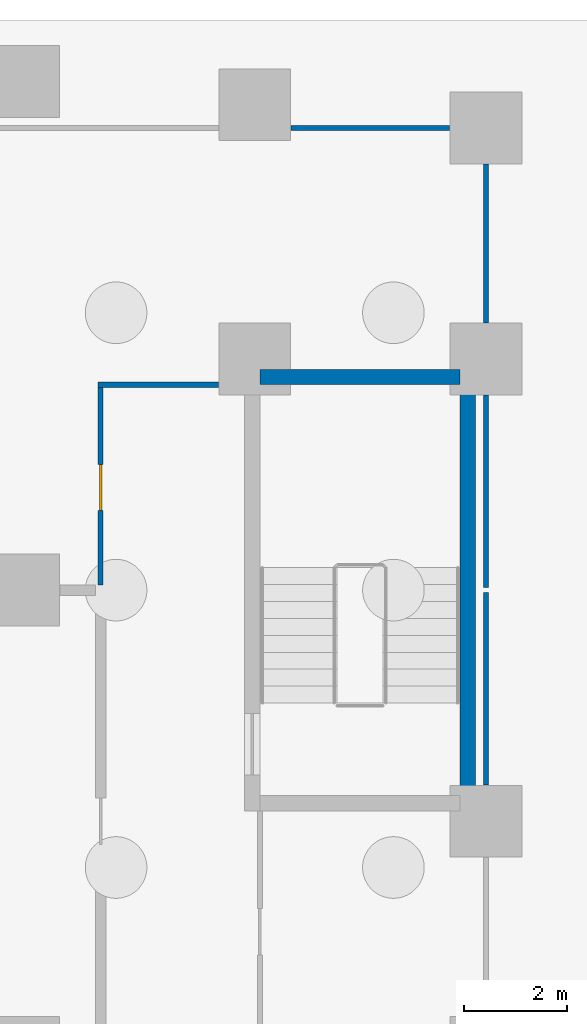
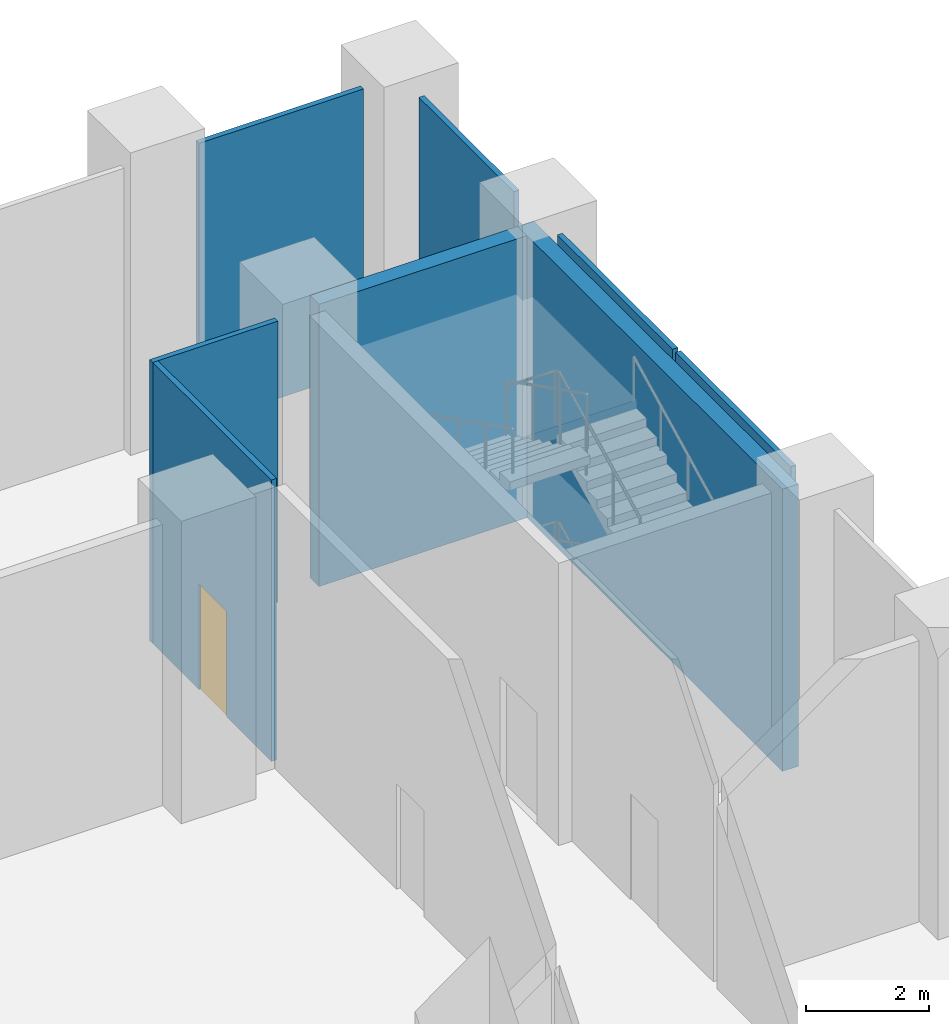
# One storey, part 7 of 12: 8 walls, 1 door, 1 opening.
"""IFC4 building model written with IfcOpenShell, lengths in metres."""

from ifc_helpers import new_model, si_unit, direction, frame, frame_2d, origin, place, context, subcontext, project, spatial, rectangle, extrude, material, layer, layer_set, type_object, element, fill, save


model = new_model("IFC4")

# Units and contexts
model_context = context("Model", 3, precision=1e-05, world=origin(), true_north=direction((0.0, 1.0)))
body_context = subcontext(model_context, "Body", "Model", "MODEL_VIEW")
ifc_project = project(units=[si_unit("LENGTHUNIT", "METRE"), si_unit("AREAUNIT", "SQUARE_METRE"), si_unit("VOLUMEUNIT", "CUBIC_METRE"), si_unit("PLANEANGLEUNIT", "RADIAN"), si_unit("MASSUNIT", "GRAM", prefix="KILO")], contexts=[model_context])

# Site, building, storey
site_placement = place(None, origin())
site = spatial("IfcSite", under=ifc_project, at=site_placement, CompositionType="ELEMENT")
building_placement = place(site_placement, origin())
building = spatial("IfcBuilding", under=site, at=building_placement, Name="Brondeck Convention Tower", CompositionType="ELEMENT")
storey_placement = place(building_placement, frame((0.0, 0.0, -6.0)))
storey = spatial("IfcBuildingStorey", under=building, at=storey_placement, Name="B1", CompositionType="ELEMENT", Elevation=-6.0)

# Wall
ifc_material_1 = material(Name="Gypsum board partition on steel studs", Category="steel")
ifc_layer_1 = layer(ifc_material_1, 0.10009765625)
ifc_layer_set_1 = layer_set([ifc_layer_1], Name="Room partition 100")
wall_type_1 = type_object("IfcWallType", Name="Room partition 100", PredefinedType="PARTITIONING", material=ifc_layer_set_1)
wall_1_placement = place(storey_placement, frame((72.0, 53.949951171875, 0.0), z_axis=(0.0, 0.0, 1.0), x_axis=(0.0, -1.0, 0.0)))
element("IfcWall", 1, at=wall_1_placement, inside=storey, type_object=wall_type_1, Name="FLR-B1-W104", PredefinedType="PARTITIONING", context=body_context, shape_type="SweptSolid", body=[
    extrude(rectangle(XDim=3.744873046875, YDim=0.10009765625, at=frame_2d((1.87255859375, 0.0))), origin(), (0.0, 0.0, 1.0), 5.580078125),
])

# Wall, opening, door
wall_2_placement = place(storey_placement, frame((64.5, 54.10009765625, 0.0), z_axis=(0.0, 0.0, 1.0), x_axis=(0.0, 1.0, 0.0)))
wall_2 = element("IfcWall", 2, at=wall_2_placement, inside=storey, type_object=wall_type_1, Name="FLR-B1-W108", PredefinedType="PARTITIONING", context=body_context, shape_type="SweptSolid", body=[
    extrude(rectangle(XDim=3.849853515625, YDim=0.10009765625, at=frame_2d((1.9248046875, 0.0))), origin(), (0.0, 0.0, 1.0), 5.580078125),
])
opening_placement = place(wall_2_placement, frame((1.449951171875, 0.0, 0.0)))
opening = element("IfcOpeningElement", 3, at=opening_placement, cuts=wall_2, Name="Opening P-B1-025", PredefinedType="OPENING", context=body_context, shape_type="SweptSolid", body=[
    extrude(rectangle(XDim=0.89990234375, YDim=2.10009765625, at=frame_2d((0.449951171875, 1.050048828125))), frame((0.0, 0.06005859375, 0.0), z_axis=(0.0, -1.0, 0.0), x_axis=(1.0, 0.0, 0.0)), (0.0, 0.0, 1.0), 0.1201171875),
])
ifc_material_2 = material(Name="Solid timber door leaf", Category="wood")
door_type = type_object("IfcDoorType", Name="Single door 900", OperationType="NOTDEFINED", PredefinedType="DOOR", material=ifc_material_2)
door_placement = place(opening_placement, origin())
door = element("IfcDoor", 4, at=door_placement, inside=storey, type_object=door_type, Name="Door P-B1-025", OperationType="SINGLE_SWING_LEFT", OverallHeight=2.10009765625, OverallWidth=0.89990234375, PredefinedType="DOOR", context=body_context, shape_type="SweptSolid", body=[
    extrude(rectangle(XDim=0.89990234375, YDim=2.10009765625, at=frame_2d((0.449951171875, 1.050048828125))), frame((0.0, 0.02490234375, 0.0), z_axis=(0.0, -1.0, 0.0), x_axis=(1.0, 0.0, 0.0)), (0.0, 0.0, 1.0), 0.050048828125),
])
fill(opening, door)

# Walls
wall_3_placement = place(storey_placement, frame((72.0, 57.794921875, 0.0), z_axis=(0.0, 0.0, 1.0), x_axis=(0.0, -1.0, 0.0)))
element("IfcWall", 5, at=wall_3_placement, inside=storey, type_object=wall_type_1, Name="FLR-B1-W110", PredefinedType="PARTITIONING", context=body_context, shape_type="SweptSolid", body=[
    extrude(rectangle(XDim=3.744873046875, YDim=0.10009765625, at=frame_2d((1.87255859375, 0.0))), origin(), (0.0, 0.0, 1.0), 5.580078125),
])
wall_4_placement = place(storey_placement, frame((64.449951171875, 58.0, 0.0), z_axis=(0.0, 0.0, 1.0), x_axis=(1.0, 0.0, 0.0)))
element("IfcWall", 6, at=wall_4_placement, inside=storey, type_object=wall_type_1, Name="FLR-B1-W111", PredefinedType="PARTITIONING", context=body_context, shape_type="SweptSolid", body=[
    extrude(rectangle(XDim=2.344970703125, YDim=0.10009765625, at=frame_2d((1.17236328125, 0.0))), origin(), (0.0, 0.0, 1.0), 5.580078125),
])
for number, where, z_axis, x_axis, name in (
    (7, (72.0, 62.294921875, 0.0), (0.0, 0.0, 1.0), (0.0, -1.0, 0.0), "FLR-B1-W112"),
    (8, (68.205078125, 63.0, 0.0), (0.0, 0.0, 1.0), (1.0, 0.0, 0.0), "FLR-B1-W114"),
):
    element("IfcWall", number, at=place(storey_placement, frame(where, z_axis=z_axis, x_axis=x_axis)), inside=storey, type_object=wall_type_1, Name=name, PredefinedType="PARTITIONING", context=body_context, shape_type="SweptSolid", body=[
        extrude(rectangle(XDim=3.08984375, YDim=0.10009765625, at=frame_2d((1.544921875, 0.0))), origin(), (0.0, 0.0, 1.0), 5.580078125),
    ])
ifc_material_3 = material(Name="Concrete C80/95", Category="concrete")
ifc_layer_2 = layer(ifc_material_3, 0.300048828125)
ifc_layer_set_2 = layer_set([ifc_layer_2], Name="Stair enclosure wall 300 Concrete C80/95")
wall_type_2 = type_object("IfcWallType", Name="Stair enclosure wall 300 Concrete C80/95", PredefinedType="SHEAR", material=ifc_layer_set_2)
wall_5_placement = place(storey_placement, frame((67.60009765625, 58.14990234375, 0.0), z_axis=(0.0, 0.0, 1.0), x_axis=(1.0, 0.0, 0.0)))
element("IfcWall", 9, at=wall_5_placement, inside=storey, type_object=wall_type_2, Name="B1 core wall", PredefinedType="SHEAR", context=body_context, shape_type="SweptSolid", body=[
    extrude(rectangle(XDim=3.89990234375, YDim=0.300048828125, at=frame_2d((1.949951171875, 0.0))), origin(), (0.0, 0.0, 1.0), 5.60009765625),
])
wall_6_placement = place(storey_placement, frame((71.64990234375, 49.699951171875, 0.0), z_axis=(0.0, 0.0, 1.0), x_axis=(0.0, 1.0, 0.0)))
element("IfcWall", 10, at=wall_6_placement, inside=storey, type_object=wall_type_2, Name="B1 core wall", PredefinedType="SHEAR", context=body_context, shape_type="SweptSolid", body=[
    extrude(rectangle(XDim=8.60009765625, YDim=0.300048828125, at=frame_2d((4.300048828125, 0.0))), origin(), (0.0, 0.0, 1.0), 5.60009765625),
])

save(model, "model.ifc")
